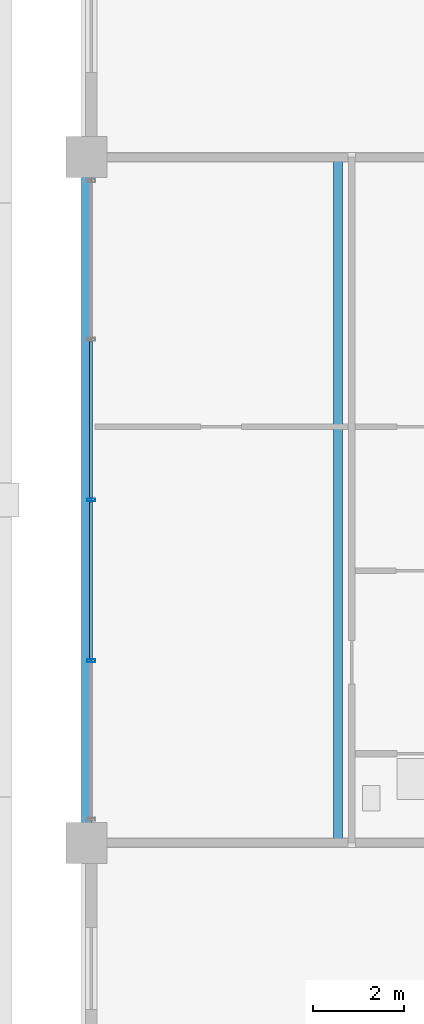
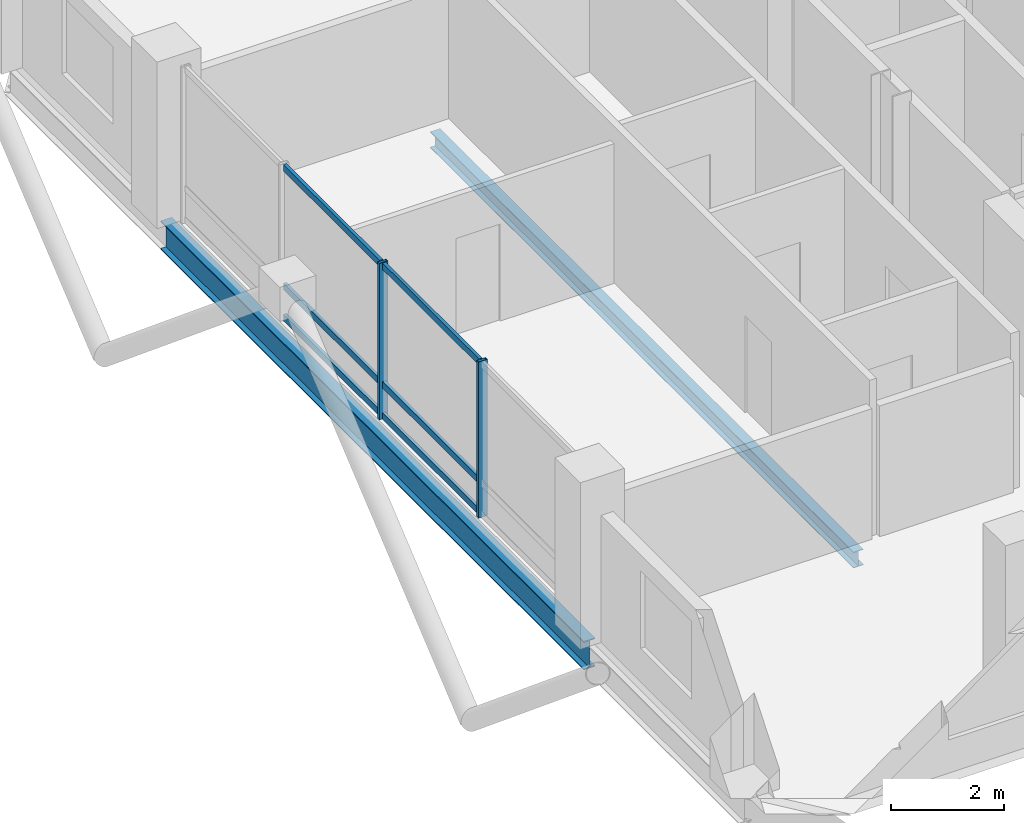
# One storey, part 7 of 23: 8 members, 2 beams, 1 element without a shape of its own.
"""IFC4 building model written with IfcOpenShell, lengths in metres."""

from ifc_helpers import new_model, si_unit, direction, frame, origin, origin_2d, place, context, subcontext, project, spatial, hollow_rectangle, i_section, extrude, material, layer, layer_set, material_profile, profile_set, type_object, element, aggregate, save


model = new_model("IFC4")

# Units and contexts
model_context = context("Model", 3, precision=1e-05, world=origin(), true_north=direction((0.0, 1.0)))
body_context = subcontext(model_context, "Body", "Model", "MODEL_VIEW")
ifc_project = project(units=[si_unit("LENGTHUNIT", "METRE"), si_unit("AREAUNIT", "SQUARE_METRE"), si_unit("VOLUMEUNIT", "CUBIC_METRE"), si_unit("PLANEANGLEUNIT", "RADIAN"), si_unit("MASSUNIT", "GRAM", prefix="KILO")], contexts=[model_context])

# Site, building, storey
site_placement = place(None, origin())
site = spatial("IfcSite", under=ifc_project, at=site_placement, CompositionType="ELEMENT")
building_placement = place(site_placement, origin())
building = spatial("IfcBuilding", under=site, at=building_placement, Name="Barlavira Tower and Art Museum", CompositionType="ELEMENT")
storey_placement = place(building_placement, frame((0.0, 0.0, 290.699951171875)))
storey = spatial("IfcBuildingStorey", under=building, at=storey_placement, Name="L76", CompositionType="ELEMENT", Elevation=290.699951171875)

# Curtain wall, members
ifc_material_1 = material(Name="Low-iron coastal laminated glass", Category="glass")
ifc_layer = layer(ifc_material_1, 0.2099609375, Name="Low-iron coastal laminated glass")
ifc_layer_set = layer_set([ifc_layer], Name="Low-iron coastal laminated glass")
curtain_wall_type = type_object("IfcCurtainWallType", Name="Pale-Metal Unitised Curtain Wall Zone 4", PredefinedType="NOTDEFINED", material=ifc_layer_set)
curtain_wall_placement = place(storey_placement, origin())
curtain_wall = element("IfcCurtainWall", 1, at=curtain_wall_placement, inside=storey, type_object=curtain_wall_type, Name="L76 Curtain Wall CW4-L76-W-B3", PredefinedType="NOTDEFINED")
ifc_material_2 = material(Name="Pale anodised aluminium", Category="aluminium")
ifc_material_profile_1 = material_profile(ifc_material_2, hollow_rectangle(XDim=0.06494140625, YDim=0.179931640625, WallThickness=0.00390625, at=origin_2d()), Name="ALU-MULL 65x180x4")
ifc_profile_set_1 = profile_set([ifc_material_profile_1], Name="Pale anodised aluminium")
member_type_1 = type_object("IfcMemberType", Name="Curtain Wall Pale-Metal Mullion 65x180", PredefinedType="MULLION", material=ifc_profile_set_1)
member_1_placement = place(storey_placement, frame((-16.89990234375, 0.0, 0.0), z_axis=(0.0, 0.0, 1.0), x_axis=(0.0, -1.0, 0.0)))
member_1 = element("IfcMember", 2, at=member_1_placement, type_object=member_type_1, Name="CW4-L76-W-B3 Mullion 2", PredefinedType="MULLION", context=body_context, shape_type="SweptSolid", body=[
    extrude(hollow_rectangle(XDim=0.06494140625, YDim=0.179931640625, WallThickness=0.00390625, at=origin_2d()), origin(), (0.0, 0.0, 1.0), 3.380126953125),
])
member_2_placement = place(storey_placement, frame((-16.89990234375, -3.514892578125, 0.0), z_axis=(0.0, 0.0, 1.0), x_axis=(0.0, -1.0, 0.0)))
member_2 = element("IfcMember", 3, at=member_2_placement, type_object=member_type_1, Name="CW4-L76-W-B3 Mullion 3", PredefinedType="MULLION", context=body_context, shape_type="SweptSolid", body=[
    extrude(hollow_rectangle(XDim=0.06494140625, YDim=0.179931640625, WallThickness=0.00390625, at=origin_2d()), origin(), (0.0, 0.0, 1.0), 3.380126953125),
])
ifc_material_profile_2 = material_profile(ifc_material_2, hollow_rectangle(XDim=0.06494140625, YDim=0.139892578125, WallThickness=0.00390625, at=origin_2d()), Name="ALU-TRAN 65x140x4")
ifc_profile_set_2 = profile_set([ifc_material_profile_2], Name="Pale anodised aluminium")
member_type_2 = type_object("IfcMemberType", Name="Curtain Wall Pale-Metal Transom 65x140", PredefinedType="USERDEFINED", material=ifc_profile_set_2)
member_3_placement = place(storey_placement, frame((-16.89990234375, 3.469970703125, 0.070068359375), z_axis=(0.0, -1.0, 0.0), x_axis=(1.0, 0.0, 0.0)))
member_3 = element("IfcMember", 4, at=member_3_placement, type_object=member_type_2, Name="CW4-L76-W-B3 Transom 1.1", ObjectType="TRANSOM", PredefinedType="USERDEFINED", context=body_context, shape_type="SweptSolid", body=[
    extrude(hollow_rectangle(XDim=0.06494140625, YDim=0.139892578125, WallThickness=0.00390625, at=origin_2d()), origin(), (0.0, 0.0, 1.0), 3.425048828125),
])
member_4_placement = place(storey_placement, frame((-16.89990234375, 3.469970703125, 0.744140625), z_axis=(0.0, -1.0, 0.0), x_axis=(1.0, 0.0, 0.0)))
member_4 = element("IfcMember", 5, at=member_4_placement, type_object=member_type_2, Name="CW4-L76-W-B3 Transom 1.2", ObjectType="TRANSOM", PredefinedType="USERDEFINED", context=body_context, shape_type="SweptSolid", body=[
    extrude(hollow_rectangle(XDim=0.06494140625, YDim=0.139892578125, WallThickness=0.00390625, at=origin_2d()), origin(), (0.0, 0.0, 1.0), 3.425048828125),
])
member_5_placement = place(storey_placement, frame((-16.89990234375, 3.469970703125, 3.31005859375), z_axis=(0.0, -1.0, 0.0), x_axis=(1.0, 0.0, 0.0)))
member_5 = element("IfcMember", 6, at=member_5_placement, type_object=member_type_2, Name="CW4-L76-W-B3 Transom 1.3", ObjectType="TRANSOM", PredefinedType="USERDEFINED", context=body_context, shape_type="SweptSolid", body=[
    extrude(hollow_rectangle(XDim=0.06494140625, YDim=0.139892578125, WallThickness=0.00390625, at=origin_2d()), origin(), (0.0, 0.0, 1.0), 3.425048828125),
])
member_6_placement = place(storey_placement, frame((-16.89990234375, -0.044921875, 0.070068359375), z_axis=(0.0, -1.0, 0.0), x_axis=(1.0, 0.0, 0.0)))
member_6 = element("IfcMember", 7, at=member_6_placement, type_object=member_type_2, Name="CW4-L76-W-B3 Transom 2.1", ObjectType="TRANSOM", PredefinedType="USERDEFINED", context=body_context, shape_type="SweptSolid", body=[
    extrude(hollow_rectangle(XDim=0.06494140625, YDim=0.139892578125, WallThickness=0.00390625, at=origin_2d()), origin(), (0.0, 0.0, 1.0), 3.425048828125),
])
member_7_placement = place(storey_placement, frame((-16.89990234375, -0.044921875, 0.744140625), z_axis=(0.0, -1.0, 0.0), x_axis=(1.0, 0.0, 0.0)))
member_7 = element("IfcMember", 8, at=member_7_placement, type_object=member_type_2, Name="CW4-L76-W-B3 Transom 2.2", ObjectType="TRANSOM", PredefinedType="USERDEFINED", context=body_context, shape_type="SweptSolid", body=[
    extrude(hollow_rectangle(XDim=0.06494140625, YDim=0.139892578125, WallThickness=0.00390625, at=origin_2d()), origin(), (0.0, 0.0, 1.0), 3.425048828125),
])
member_8_placement = place(storey_placement, frame((-16.89990234375, -0.044921875, 3.31005859375), z_axis=(0.0, -1.0, 0.0), x_axis=(1.0, 0.0, 0.0)))
member_8 = element("IfcMember", 9, at=member_8_placement, type_object=member_type_2, Name="CW4-L76-W-B3 Transom 2.3", ObjectType="TRANSOM", PredefinedType="USERDEFINED", context=body_context, shape_type="SweptSolid", body=[
    extrude(hollow_rectangle(XDim=0.06494140625, YDim=0.139892578125, WallThickness=0.00390625, at=origin_2d()), origin(), (0.0, 0.0, 1.0), 3.425048828125),
])
aggregate(curtain_wall, [member_1, member_2, member_3, member_4, member_5, member_6, member_7, member_8])

# Beams
ifc_material_3 = material(Name="Steel S355", Category="steel")
ifc_material_profile_3 = material_profile(ifc_material_3, i_section(OverallWidth=0.22998046875, OverallDepth=0.616943359375, WebThickness=0.01318359375, FlangeThickness=0.022216796875, at=origin_2d()), Name="W610x140.0")
ifc_profile_set_3 = profile_set([ifc_material_profile_3], Name="Steel S355")
beam_type_1 = type_object("IfcBeamType", Name="Upper Shaft Spandrel Edge Beam W610x140 Steel S355", PredefinedType="SPANDREL", material=ifc_profile_set_3)
beam_1_placement = place(storey_placement, frame((-17.0, -7.5, -0.528564453125), z_axis=(0.0, 1.0, 0.0), x_axis=(-1.0, 0.0, 0.0)))
element("IfcBeam", 10, at=beam_1_placement, inside=storey, type_object=beam_type_1, Name="L76 Spandrel 14", PredefinedType="SPANDREL", context=body_context, shape_type="SweptSolid", body=[
    extrude(i_section(OverallWidth=0.22998046875, OverallDepth=0.616943359375, WebThickness=0.01318359375, FlangeThickness=0.022216796875, at=origin_2d()), origin(), (0.0, 0.0, 1.0), 15.0),
])
ifc_material_profile_4 = material_profile(ifc_material_3, i_section(OverallWidth=0.202880859375, OverallDepth=0.346923828125, WebThickness=0.0078125, FlangeThickness=0.013427734375, at=origin_2d()), Name="W360x64.0")
ifc_profile_set_4 = profile_set([ifc_material_profile_4], Name="Steel S355")
beam_type_2 = type_object("IfcBeamType", Name="Zone 4 Composite Floor Joist W360x64 Steel S355", PredefinedType="JOIST", material=ifc_profile_set_4)
beam_2_placement = place(storey_placement, frame((-11.5, -7.5, -0.3935546875), z_axis=(0.0, 1.0, 0.0), x_axis=(-1.0, 0.0, 0.0)))
element("IfcBeam", 11, at=beam_2_placement, inside=storey, type_object=beam_type_2, Name="L76 Joist W1", PredefinedType="JOIST", context=body_context, shape_type="SweptSolid", body=[
    extrude(i_section(OverallWidth=0.202880859375, OverallDepth=0.346923828125, WebThickness=0.0078125, FlangeThickness=0.013427734375, at=origin_2d()), origin(), (0.0, 0.0, 1.0), 15.0),
])

save(model, "model.ifc")
